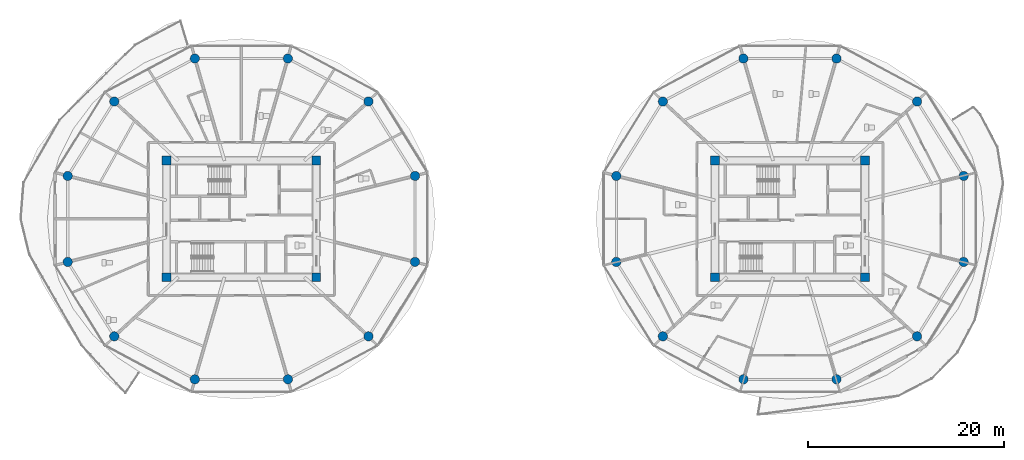
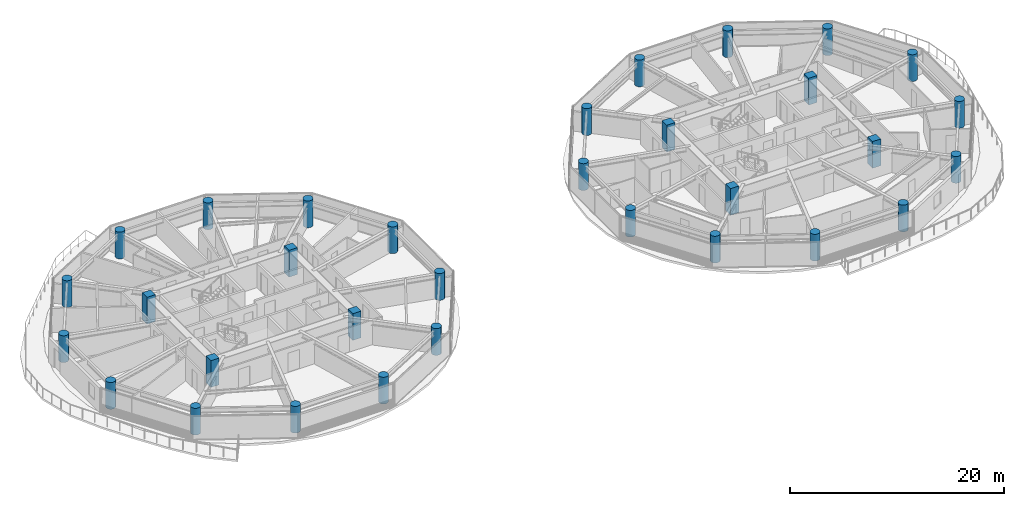
# One storey, part 1 of 27: 32 columns.
"""IFC4 building model written with IfcOpenShell, lengths in metres."""

from ifc_helpers import new_model, si_unit, direction, frame, origin, origin_2d, place, context, subcontext, project, spatial, rectangle, circle, extrude, source, transform, mapped, material, material_profile, profile_set, type_object, type_shapes, element, save


model = new_model("IFC4")

# Units and contexts
model_context = context("Model", 3, precision=1e-05, world=origin(), true_north=direction((0.0, 1.0)))
body_context = subcontext(model_context, "Body", "Model", "MODEL_VIEW")
ifc_project = project(units=[si_unit("LENGTHUNIT", "METRE"), si_unit("AREAUNIT", "SQUARE_METRE"), si_unit("VOLUMEUNIT", "CUBIC_METRE"), si_unit("PLANEANGLEUNIT", "RADIAN"), si_unit("MASSUNIT", "GRAM", prefix="KILO")], contexts=[model_context])

# Site, building, storey
site_placement = place(None, origin())
site = spatial("IfcSite", under=ifc_project, at=site_placement, CompositionType="ELEMENT")
building_placement = place(site_placement, origin())
building = spatial("IfcBuilding", under=site, at=building_placement, Name="Norrkilde Senior Care Towers", CompositionType="ELEMENT")
storey_placement = place(building_placement, frame((0.0, 0.0, 36.85009765625)))
storey = spatial("IfcBuildingStorey", under=building, at=storey_placement, Name="L10", CompositionType="ELEMENT", Elevation=36.85009765625)

# Columns
ifc_material = material(Name="Concrete C60/75", Category="concrete")
ifc_material_profile_1 = material_profile(ifc_material, rectangle(XDim=0.89990234375, YDim=0.89990234375, at=origin_2d()), Name="RC COL 900x900")
ifc_profile_set_1 = profile_set([ifc_material_profile_1], Name="Concrete C60/75")
column_type_1 = type_object("IfcColumnType", Name="Column Core Corner Z1-Z2 900", PredefinedType="COLUMN", material=ifc_profile_set_1)
shared_shape_1 = source(origin(), body_context, "Body", "SweptSolid", [
    extrude(rectangle(XDim=0.89990234375, YDim=0.89990234375, at=origin_2d()), origin(), (0.0, 0.0, 1.0), 3.0498046875),
])
type_shapes(column_type_1, [shared_shape_1])
for number, where, z_axis, x_axis, name in (
    (1, (-35.64990234375, -5.949951171875, 0.0), (0.0, 0.0, 1.0), (1.0, 0.0, 0.0), "L10 Core W Corner Column 1"),
    (2, (-20.35009765625, -5.949951171875, 0.0), (0.0, 0.0, 1.0), (1.0, 0.0, 0.0), "L10 Core W Corner Column 2"),
    (3, (-20.35009765625, 5.949951171875, 0.0), (0.0, 0.0, 1.0), (1.0, 0.0, 0.0), "L10 Core W Corner Column 3"),
    (4, (-35.64990234375, 5.949951171875, 0.0), (0.0, 0.0, 1.0), (1.0, 0.0, 0.0), "L10 Core W Corner Column 4"),
    (5, (20.35009765625, -5.949951171875, 0.0), (0.0, 0.0, 1.0), (1.0, 0.0, 0.0), "L10 Core E Corner Column 1"),
    (6, (35.64990234375, -5.949951171875, 0.0), (0.0, 0.0, 1.0), (1.0, 0.0, 0.0), "L10 Core E Corner Column 2"),
    (7, (35.64990234375, 5.949951171875, 0.0), (0.0, 0.0, 1.0), (1.0, 0.0, 0.0), "L10 Core E Corner Column 3"),
    (8, (20.35009765625, 5.949951171875, 0.0), (0.0, 0.0, 1.0), (1.0, 0.0, 0.0), "L10 Core E Corner Column 4"),
):
    element("IfcColumn", number, at=place(storey_placement, frame(where, z_axis=z_axis, x_axis=x_axis)), inside=storey, type_object=column_type_1, Name=name, PredefinedType="COLUMN", context=body_context, shape_type="MappedRepresentation", body=[
        mapped(shared_shape_1, transform((0.0, 0.0, 0.0), x_axis=(1.0, 0.0, 0.0), y_axis=(0.0, 1.0, 0.0), z_axis=(0.0, 0.0, 1.0), scale=1.0)),
    ])
ifc_material_profile_2 = material_profile(ifc_material, circle(Radius=0.47509765625, at=origin_2d()), Name="RC CIR 950")
ifc_profile_set_2 = profile_set([ifc_material_profile_2], Name="Concrete C60/75")
column_type_2 = type_object("IfcColumnType", Name="Column Perimeter Z1 950", PredefinedType="COLUMN", material=ifc_profile_set_2)
shared_shape_2 = source(origin(), body_context, "Body", "SweptSolid", [
    extrude(circle(Radius=0.47509765625, at=origin_2d()), origin(), (0.0, 0.0, 1.0), 3.0498046875),
])
type_shapes(column_type_2, [shared_shape_2])
for number, where, z_axis, x_axis, name in (
    (9, (-10.275146484375, 4.386962890625, 0.0), (0.0, 0.0, 1.0), (1.0, 0.0, 0.0), "L10 Drum W Perimeter Column 01"),
    (10, (-15.024658203125, 11.9853515625, 0.0), (0.0, 0.0, 1.0), (1.0, 0.0, 0.0), "L10 Drum W Perimeter Column 02"),
    (11, (-23.250732421875, 16.37255859375, 0.0), (0.0, 0.0, 1.0), (1.0, 0.0, 0.0), "L10 Drum W Perimeter Column 03"),
    (12, (-32.749267578125, 16.37255859375, 0.0), (0.0, 0.0, 1.0), (1.0, 0.0, 0.0), "L10 Drum W Perimeter Column 04"),
    (13, (-40.975341796875, 11.9853515625, 0.0), (0.0, 0.0, 1.0), (1.0, 0.0, 0.0), "L10 Drum W Perimeter Column 05"),
    (14, (-45.724853515625, 4.386962890625, 0.0), (0.0, 0.0, 1.0), (1.0, 0.0, 0.0), "L10 Drum W Perimeter Column 06"),
    (15, (-45.724853515625, -4.386962890625, 0.0), (0.0, 0.0, 1.0), (1.0, 0.0, 0.0), "L10 Drum W Perimeter Column 07"),
    (16, (-40.975341796875, -11.9853515625, 0.0), (0.0, 0.0, 1.0), (1.0, 0.0, 0.0), "L10 Drum W Perimeter Column 08"),
    (17, (-32.749267578125, -16.37255859375, 0.0), (0.0, 0.0, 1.0), (1.0, 0.0, 0.0), "L10 Drum W Perimeter Column 09"),
    (18, (-23.250732421875, -16.37255859375, 0.0), (0.0, 0.0, 1.0), (1.0, 0.0, 0.0), "L10 Drum W Perimeter Column 10"),
    (19, (-15.024658203125, -11.9853515625, 0.0), (0.0, 0.0, 1.0), (1.0, 0.0, 0.0), "L10 Drum W Perimeter Column 11"),
    (20, (-10.275146484375, -4.386962890625, 0.0), (0.0, 0.0, 1.0), (1.0, 0.0, 0.0), "L10 Drum W Perimeter Column 12"),
    (21, (45.724853515625, 4.386962890625, 0.0), (0.0, 0.0, 1.0), (1.0, 0.0, 0.0), "L10 Drum E Perimeter Column 01"),
    (22, (40.975341796875, 11.9853515625, 0.0), (0.0, 0.0, 1.0), (1.0, 0.0, 0.0), "L10 Drum E Perimeter Column 02"),
    (23, (32.749267578125, 16.37255859375, 0.0), (0.0, 0.0, 1.0), (1.0, 0.0, 0.0), "L10 Drum E Perimeter Column 03"),
    (24, (23.250732421875, 16.37255859375, 0.0), (0.0, 0.0, 1.0), (1.0, 0.0, 0.0), "L10 Drum E Perimeter Column 04"),
    (25, (15.024658203125, 11.9853515625, 0.0), (0.0, 0.0, 1.0), (1.0, 0.0, 0.0), "L10 Drum E Perimeter Column 05"),
    (26, (10.275146484375, 4.386962890625, 0.0), (0.0, 0.0, 1.0), (1.0, 0.0, 0.0), "L10 Drum E Perimeter Column 06"),
    (27, (10.275146484375, -4.386962890625, 0.0), (0.0, 0.0, 1.0), (1.0, 0.0, 0.0), "L10 Drum E Perimeter Column 07"),
    (28, (15.024658203125, -11.9853515625, 0.0), (0.0, 0.0, 1.0), (1.0, 0.0, 0.0), "L10 Drum E Perimeter Column 08"),
    (29, (23.250732421875, -16.37255859375, 0.0), (0.0, 0.0, 1.0), (1.0, 0.0, 0.0), "L10 Drum E Perimeter Column 09"),
    (30, (32.749267578125, -16.37255859375, 0.0), (0.0, 0.0, 1.0), (1.0, 0.0, 0.0), "L10 Drum E Perimeter Column 10"),
    (31, (40.975341796875, -11.9853515625, 0.0), (0.0, 0.0, 1.0), (1.0, 0.0, 0.0), "L10 Drum E Perimeter Column 11"),
    (32, (45.724853515625, -4.386962890625, 0.0), (0.0, 0.0, 1.0), (1.0, 0.0, 0.0), "L10 Drum E Perimeter Column 12"),
):
    element("IfcColumn", number, at=place(storey_placement, frame(where, z_axis=z_axis, x_axis=x_axis)), inside=storey, type_object=column_type_2, Name=name, PredefinedType="COLUMN", context=body_context, shape_type="MappedRepresentation", body=[
        mapped(shared_shape_2, transform((0.0, 0.0, 0.0), x_axis=(1.0, 0.0, 0.0), y_axis=(0.0, 1.0, 0.0), z_axis=(0.0, 0.0, 1.0), scale=1.0)),
    ])

save(model, "model.ifc")
